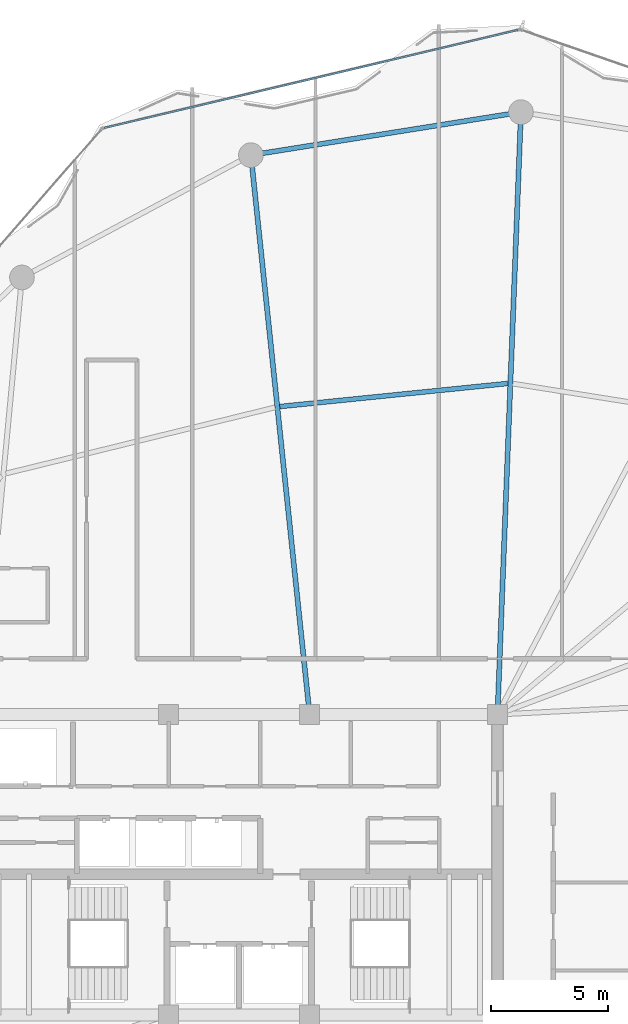
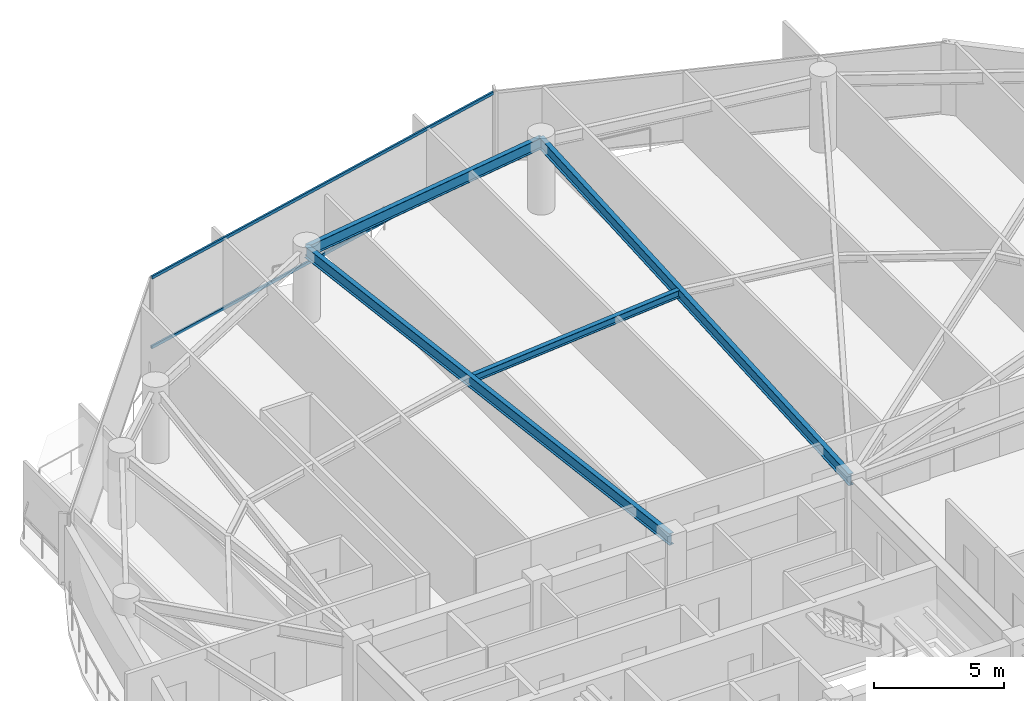
# One storey, part 18 of 29: 4 beams, 2 members, 1 element without a shape of its own.
"""IFC4 building model written with IfcOpenShell, lengths in metres."""

import ifcopenshell
import ifcopenshell.guid

model = None  # the IFC model being written
_history = None  # IfcOwnerHistory: only IFC2X3 demands one
_inside = {}  # id of a spatial element -> (the spatial element, [elements in it])
_under = {}  # id of a project, library or spatial element -> (it, [spatial elements below it])
_declared = {}  # id of a project -> (the project, [libraries it declares])
_typed = {}  # id of a type object -> (the type object, [elements of that type])
_made_of = {}  # id of a material, layer set ... -> (it, [elements and type objects made of it])


def new_model(schema):
    """Start an empty IFC model of exactly this schema.

    Asked for "IFC4X3", IfcOpenShell would pick the latest addendum, in which some entities
    have other attributes; the version numbers below select the first issue.
    IFC2X3 requires an IfcOwnerHistory on every rooted entity: one is made here for all.
    """
    global model, _history
    if schema == "IFC4X3":
        model = ifcopenshell.file(schema_version=(4, 3, 0, 0))
    else:
        model = ifcopenshell.file(schema=schema)
    _inside.clear()
    _under.clear()
    _declared.clear()
    _typed.clear()
    _made_of.clear()
    _history = None
    if model.schema == "IFC2X3":
        org = make("IfcOrganization", Name="unknown")
        user = make(
            "IfcPersonAndOrganization",
            ThePerson=make("IfcPerson", FamilyName="unknown"),
            TheOrganization=org,
        )
        app = make(
            "IfcApplication",
            ApplicationDeveloper=org,
            Version="unknown",
            ApplicationFullName="unknown",
            ApplicationIdentifier="unknown",
        )
        _history = make(
            "IfcOwnerHistory",
            OwningUser=user,
            OwningApplication=app,
            ChangeAction="ADDED",
            CreationDate=0,
        )
    return model


def make(cls, **values):
    """One entity of the class cls with the attributes given. An attribute that is None is left unset."""
    return model.create_entity(
        cls, **{name: value for name, value in values.items() if value is not None}
    )


def rooted(cls, **values):
    """An entity with a GlobalId (a new one), such as an element, a storey or a relation."""
    return make(cls, GlobalId=ifcopenshell.guid.new(), OwnerHistory=_history, **values)


def si_unit(unit_type, name, prefix=None):
    """IfcSIUnit, for example si_unit("LENGTHUNIT", "METRE", prefix="MILLI")."""
    return make("IfcSIUnit", UnitType=unit_type, Prefix=prefix, Name=name)


def assignment(units):
    """IfcUnitAssignment: the units of a project."""
    return None if units is None else make("IfcUnitAssignment", Units=units)


def point(xyz):
    """IfcCartesianPoint."""
    return None if xyz is None else make("IfcCartesianPoint", Coordinates=xyz)


def direction(xyz):
    """IfcDirection."""
    return None if xyz is None else make("IfcDirection", DirectionRatios=xyz)


def frame(location, z_axis=None, x_axis=None):
    """IfcAxis2Placement3D, a coordinate frame: its origin and axes. An axis left out is left unset."""
    return make(
        "IfcAxis2Placement3D",
        Location=point(location),
        Axis=direction(z_axis),
        RefDirection=direction(x_axis),
    )


def frame_2d(location, x_axis=None):
    """IfcAxis2Placement2D, a coordinate frame in the plane: its origin and x axis."""
    return make(
        "IfcAxis2Placement2D", Location=point(location), RefDirection=direction(x_axis)
    )


def origin():
    """The frame at (0, 0, 0) with its axes left unset."""
    return frame((0.0, 0.0, 0.0))


def origin_2d():
    """The frame at (0, 0) in the plane with its x axis left unset."""
    return frame_2d((0.0, 0.0))


def place(relative_to, where):
    """IfcLocalPlacement: puts the frame where relative to a parent placement (None: the world)."""
    return make(
        "IfcLocalPlacement", PlacementRelTo=relative_to, RelativePlacement=where
    )


def context(
    kind, dimensions, precision=None, world=None, true_north=None, identifier=None
):
    """IfcGeometricRepresentationContext, for example the 3D "Model" context."""
    return make(
        "IfcGeometricRepresentationContext",
        ContextIdentifier=identifier,
        ContextType=kind,
        CoordinateSpaceDimension=dimensions,
        Precision=precision,
        WorldCoordinateSystem=world,
        TrueNorth=true_north,
    )


def subcontext(parent, identifier, kind, view, scale=None):
    """IfcGeometricRepresentationSubContext, for example "Body" below "Model"."""
    return make(
        "IfcGeometricRepresentationSubContext",
        ContextIdentifier=identifier,
        ContextType=kind,
        ParentContext=parent,
        TargetScale=scale,
        TargetView=view,
    )


def project(units=None, contexts=None):
    """IfcProject with its units and contexts."""
    return rooted(
        "IfcProject",
        Name="project",
        RepresentationContexts=contexts,
        UnitsInContext=assignment(units),
    )


def spatial(cls, under=None, at=None, **own):
    """A site, building, storey or space (cls), placed at a placement, below another one or the project."""
    s = rooted(cls, ObjectPlacement=at, **own)
    if under is not None:
        _under.setdefault(under.id(), (under, []))[1].append(s)
    return s


def profile(cls, at=None, kind="AREA", **sizes):
    """A parametric profile (cls). Its sizes go by their IFC names, for example OverallWidth=200.0."""
    return make(cls, ProfileType=kind, Position=at, **sizes)


def hollow_rectangle(**sizes):
    """IfcRectangleHollowProfileDef."""
    return profile("IfcRectangleHollowProfileDef", **sizes)


def i_section(**sizes):
    """IfcIShapeProfileDef."""
    return profile("IfcIShapeProfileDef", **sizes)


def extrude(swept, where, along, depth):
    """IfcExtrudedAreaSolid: the profile swept, set in the frame where, extruded along a direction by depth."""
    return make(
        "IfcExtrudedAreaSolid",
        SweptArea=swept,
        Position=where,
        ExtrudedDirection=direction(along),
        Depth=depth,
    )


def shape(context_of_items, identifier, shape_type, items):
    """IfcShapeRepresentation: the items that make up one representation, for example the "Body"."""
    return make(
        "IfcShapeRepresentation",
        ContextOfItems=context_of_items,
        RepresentationIdentifier=identifier,
        RepresentationType=shape_type,
        Items=items,
    )


def material(Name=None, Category=None):
    """IfcMaterial."""
    return make("IfcMaterial", Name=Name, Category=Category)


def layer(
    of_material, thickness, ventilated=None, Name=None, Category=None, Priority=None
):
    """IfcMaterialLayer: one layer of a wall or slab, of a material (None: an air gap)."""
    return make(
        "IfcMaterialLayer",
        Material=of_material,
        LayerThickness=thickness,
        IsVentilated=ventilated,
        Name=Name,
        Category=Category,
        Priority=Priority,
    )


def layer_set(layers, Name=None):
    """IfcMaterialLayerSet."""
    return make("IfcMaterialLayerSet", MaterialLayers=layers, LayerSetName=Name)


def material_profile(
    of_material, cross_section, Name=None, Category=None, Priority=None
):
    """IfcMaterialProfile: a cross section and its material."""
    return make(
        "IfcMaterialProfile",
        Name=Name,
        Material=of_material,
        Profile=cross_section,
        Priority=Priority,
        Category=Category,
    )


def profile_set(profiles, Name=None, composite=None):
    """IfcMaterialProfileSet."""
    return make(
        "IfcMaterialProfileSet",
        Name=Name,
        MaterialProfiles=profiles,
        CompositeProfile=composite,
    )


def made_of(thing, what):
    """Note that an element or type object is made of a material, layer set ...; save() writes the relation."""
    if what is not None:
        _made_of.setdefault(what.id(), (what, []))[1].append(thing)
    return thing


def type_object(cls, material=None, **own):
    """A type object (cls), such as IfcWallType, which elements share."""
    return made_of(rooted(cls, **own), material)


def element(
    cls,
    number,
    at=None,
    inside=None,
    cuts=None,
    type_object=None,
    material=None,
    context=None,
    identifier="Body",
    shape_type=None,
    held_by="IfcProductDefinitionShape",
    body=None,
    shapes=None,
    **own,
):
    """One element of the class cls, such as IfcWall. Its Tag is "e" and its number.

    at: its placement. inside: the storey or other place that contains it. cuts: it is an
    opening in that element (IfcRelVoidsElement). A single representation is given by context,
    identifier, shape_type and body (its items); several are given by shapes. held_by: the class
    of the entity that holds the representations. save() writes the other relations.
    """
    e = rooted(cls, Tag="e%d" % number, ObjectPlacement=at, **own)
    if body is not None:
        shapes = [shape(context, identifier, shape_type, body)]
    if shapes is not None:
        e.Representation = make(held_by, Representations=shapes)
    if inside is not None:
        _inside.setdefault(inside.id(), (inside, []))[1].append(e)
    if cuts is not None:
        rooted(
            "IfcRelVoidsElement", RelatingBuildingElement=cuts, RelatedOpeningElement=e
        )
    if type_object is not None:
        _typed.setdefault(type_object.id(), (type_object, []))[1].append(e)
    return made_of(e, material)


def aggregate(whole, parts):
    """IfcRelAggregates: a whole, such as a stair, and the parts it consists of."""
    return rooted("IfcRelAggregates", RelatingObject=whole, RelatedObjects=parts)


def save(model, path):
    """Write the relations noted so far, then the file.

    IfcRelAggregates (storeys below a building ...), IfcRelContainedInSpatialStructure (elements
    in a storey), IfcRelDefinesByType, IfcRelAssociatesMaterial and IfcRelDeclares: one each for
    every whole, place, type object, material and project.
    """
    for whole, parts in _under.values():
        aggregate(whole, parts)
    for where, things in _inside.values():
        rooted(
            "IfcRelContainedInSpatialStructure",
            RelatedElements=things,
            RelatingStructure=where,
        )
    for kind, things in _typed.values():
        rooted("IfcRelDefinesByType", RelatedObjects=things, RelatingType=kind)
    for what, things in _made_of.values():
        rooted("IfcRelAssociatesMaterial", RelatedObjects=things, RelatingMaterial=what)
    for by, libraries in _declared.values():
        rooted("IfcRelDeclares", RelatingContext=by, RelatedDefinitions=libraries)
    model.write(path)


model = new_model("IFC4")

# Units and contexts
model_context = context("Model", 3, precision=1e-05, world=origin(), true_north=direction((0.0, 1.0)))
body_context = subcontext(model_context, "Body", "Model", "MODEL_VIEW")
ifc_project = project(units=[si_unit("LENGTHUNIT", "METRE"), si_unit("AREAUNIT", "SQUARE_METRE"), si_unit("VOLUMEUNIT", "CUBIC_METRE"), si_unit("PLANEANGLEUNIT", "RADIAN"), si_unit("MASSUNIT", "GRAM", prefix="KILO")], contexts=[model_context])

# Site, building, storey
site_placement = place(None, origin())
site = spatial("IfcSite", under=ifc_project, at=site_placement, CompositionType="ELEMENT")
building_placement = place(site_placement, origin())
building = spatial("IfcBuilding", under=site, at=building_placement, Name="Kazevale Care Tower and Concert Hall", CompositionType="ELEMENT")
storey_placement = place(building_placement, frame((0.0, 0.0, 199.199951171875)))
storey = spatial("IfcBuildingStorey", under=building, at=storey_placement, Name="L52", CompositionType="ELEMENT", Elevation=199.199951171875)

# Curtain wall, members
ifc_material_1 = material(Name="Aluminium 6063-T6 and Low-E Glass", Category="aluminium")
ifc_layer = layer(ifc_material_1, 0.179931640625)
ifc_layer_set = layer_set([ifc_layer], Name="Aluminium 6063-T6 and Low-E Glass")
curtain_wall_type = type_object("IfcCurtainWallType", Name="Waist & Upper Residential Curtain Wall CW-4", PredefinedType="NOTDEFINED", material=ifc_layer_set)
curtain_wall_placement = place(storey_placement, origin())
curtain_wall = element("IfcCurtainWall", 1, at=curtain_wall_placement, inside=storey, type_object=curtain_wall_type, Name="cw:L52:f15", PredefinedType="NOTDEFINED")
ifc_material_2 = material(Name="Aluminium 6063-T6", Category="aluminium")
ifc_material_profile_1 = material_profile(ifc_material_2, hollow_rectangle(XDim=0.080078125, YDim=0.139892578125, WallThickness=0.00390625, at=origin_2d()), Name="ALU80x140x4")
ifc_profile_set_1 = profile_set([ifc_material_profile_1], Name="Aluminium 6063-T6")
member_type = type_object("IfcMemberType", Name="CW-4 Transom ALU80x140x4", PredefinedType="USERDEFINED", material=ifc_profile_set_1)
member_1_placement = place(storey_placement, frame((27.249755859375, 61.37548828125, 0.0400390625), z_axis=(0.973087923042, 0.2304341425, 0.0), x_axis=(-0.2304341425, 0.973087923042, 0.0)))
member_1 = element("IfcMember", 2, at=member_1_placement, type_object=member_type, Name="CW-4 transom 1.1", ObjectType="TRANSOM", PredefinedType="USERDEFINED", context=body_context, shape_type="SweptSolid", body=[
    extrude(hollow_rectangle(XDim=0.080078125, YDim=0.139892578125, WallThickness=0.00390625, at=origin_2d()), origin(), (0.0, 0.0, 1.0), 18.114013671875),
])
member_2_placement = place(storey_placement, frame((27.249755859375, 61.37548828125, 3.320068359375), z_axis=(0.973087923042, 0.2304341425, 0.0), x_axis=(-0.2304341425, 0.973087923042, 0.0)))
member_2 = element("IfcMember", 3, at=member_2_placement, type_object=member_type, Name="CW-4 transom 1.2", ObjectType="TRANSOM", PredefinedType="USERDEFINED", context=body_context, shape_type="SweptSolid", body=[
    extrude(hollow_rectangle(XDim=0.080078125, YDim=0.139892578125, WallThickness=0.00390625, at=origin_2d()), origin(), (0.0, 0.0, 1.0), 18.114013671875),
])
aggregate(curtain_wall, [member_1, member_2])

# Beams
ifc_material_3 = material(Name="Steel ASTM A572 Gr 50", Category="steel")
ifc_material_profile_2 = material_profile(ifc_material_3, i_section(OverallWidth=0.2119140625, OverallDepth=0.5439453125, WebThickness=0.01318359375, FlangeThickness=0.021240234375, at=origin_2d()), Name="W530x123")
ifc_profile_set_2 = profile_set([ifc_material_profile_2], Name="Steel ASTM A572 Gr 50")
beam_type_1 = type_object("IfcBeamType", Name="Radial Floor Girder W530x123", PredefinedType="BEAM", material=ifc_profile_set_2)
beam_1_placement = place(storey_placement, frame((44.0, 36.39990234375, 3.088134765625), z_axis=(0.03895653799, 0.999240905962, 0.0), x_axis=(-0.999240905962, 0.03895653799, 0.0)))
element("IfcBeam", 4, at=beam_1_placement, inside=storey, type_object=beam_type_1, Name="beam:L52:rad:05", PredefinedType="BEAM", context=body_context, shape_type="SweptSolid", body=[
    extrude(i_section(OverallWidth=0.2119140625, OverallDepth=0.5439453125, WebThickness=0.01318359375, FlangeThickness=0.021240234375, at=origin_2d()), origin(), (0.0, 0.0, 1.0), 25.669677734375),
])
beam_2_placement = place(storey_placement, frame((36.0, 36.39990234375, 3.088134765625), z_axis=(-0.104380207012, 0.994537466556, 0.0), x_axis=(-0.994537466556, -0.104380207012, 0.0)))
element("IfcBeam", 5, at=beam_2_placement, inside=storey, type_object=beam_type_1, Name="beam:L52:rad:06", PredefinedType="BEAM", context=body_context, shape_type="SweptSolid", body=[
    extrude(i_section(OverallWidth=0.2119140625, OverallDepth=0.5439453125, WebThickness=0.01318359375, FlangeThickness=0.021240234375, at=origin_2d()), origin(), (0.0, 0.0, 1.0), 23.950927734375),
])
ifc_material_profile_3 = material_profile(ifc_material_3, i_section(OverallWidth=0.205078125, OverallDepth=0.35400390625, WebThickness=0.009521484375, FlangeThickness=0.016845703125, at=origin_2d()), Name="W360x79")
ifc_profile_set_3 = profile_set([ifc_material_profile_3], Name="Steel ASTM A572 Gr 50")
beam_type_2 = type_object("IfcBeamType", Name="Secondary Floor Joist W360x79", PredefinedType="JOIST", material=ifc_profile_set_3)
beam_3_placement = place(storey_placement, frame((44.446044921875, 50.4970703125, 3.18310546875), z_axis=(-0.994900388447, -0.10086236696, 0.0), x_axis=(0.10086236696, -0.994900388447, 0.0)))
element("IfcBeam", 6, at=beam_3_placement, inside=storey, type_object=beam_type_2, Name="beam:L52:joist:05", PredefinedType="JOIST", context=body_context, shape_type="SweptSolid", body=[
    extrude(i_section(OverallWidth=0.205078125, OverallDepth=0.35400390625, WebThickness=0.009521484375, FlangeThickness=0.016845703125, at=origin_2d()), origin(), (0.0, 0.0, 1.0), 9.766845703125),
])
ifc_material_profile_4 = material_profile(ifc_material_3, i_section(OverallWidth=0.208984375, OverallDepth=0.532958984375, WebThickness=0.01025390625, FlangeThickness=0.015625, at=origin_2d()), Name="W530x92")
ifc_profile_set_4 = profile_set([ifc_material_profile_4], Name="Steel ASTM A572 Gr 50")
beam_type_3 = type_object("IfcBeamType", Name="Upper Ring Beam W530x92", PredefinedType="BEAM", material=ifc_profile_set_4)
beam_4_placement = place(storey_placement, frame((45.0, 62.050048828125, 3.093505859375), z_axis=(-0.987573207584, -0.15715966296, 0.0), x_axis=(0.15715966296, -0.987573207584, 0.0)))
element("IfcBeam", 7, at=beam_4_placement, inside=storey, type_object=beam_type_3, Name="beam:L52:ring:05", PredefinedType="BEAM", context=body_context, shape_type="SweptSolid", body=[
    extrude(i_section(OverallWidth=0.208984375, OverallDepth=0.532958984375, WebThickness=0.01025390625, FlangeThickness=0.015625, at=origin_2d()), origin(), (0.0, 0.0, 1.0), 11.644775390625),
])

save(model, "model.ifc")
